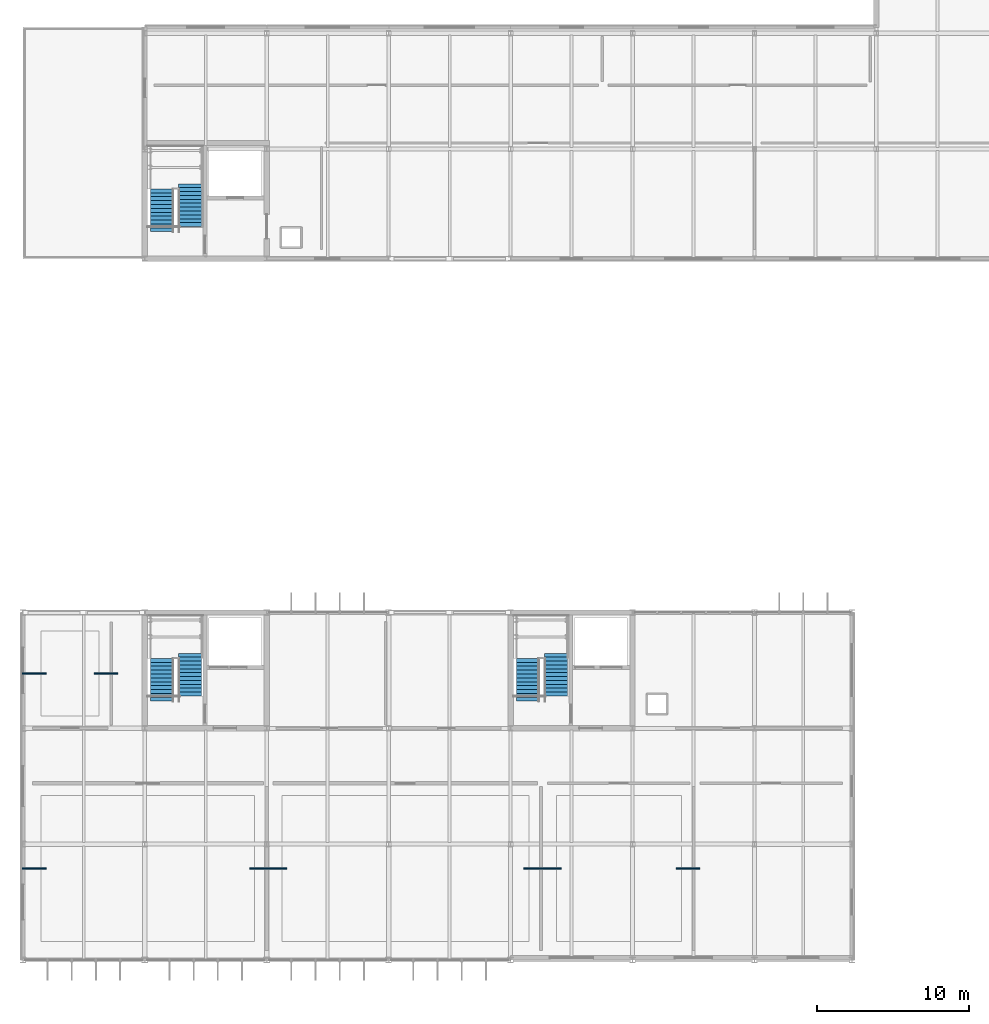
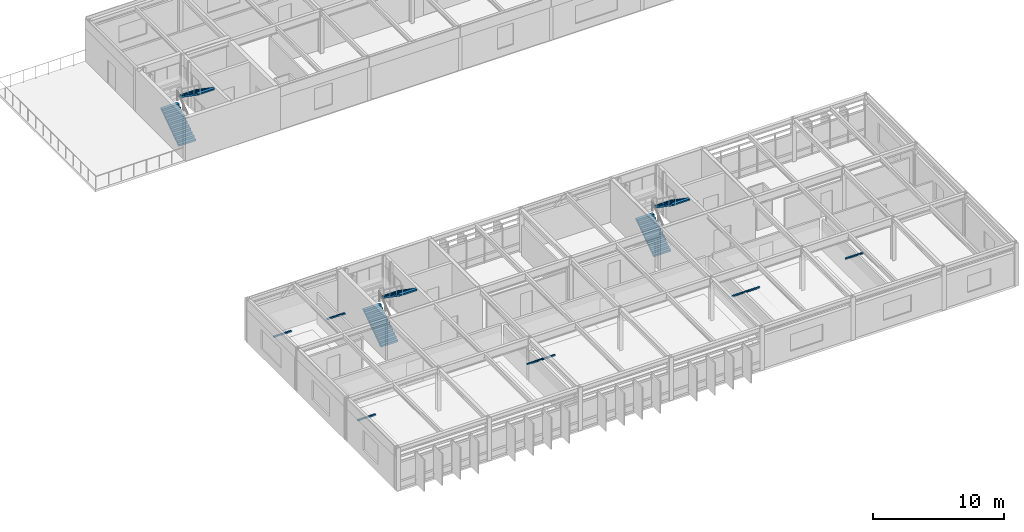
# One storey, part 27 of 33: 8 discrete accessories, 6 stair flights, 3 elements without a shape of their own.
"""IFC4 building model written with IfcOpenShell, lengths in metres."""

from ifc_helpers import new_model, si_unit, direction, frame, origin, origin_2d, place, context, subcontext, project, spatial, polyline, rectangle, outline, extrude, material, layer, layer_set, type_object, element, aggregate, save


model = new_model("IFC4")

# Units and contexts
model_context = context("Model", 3, precision=1e-05, world=origin(), true_north=direction((0.0, 1.0)))
body_context = subcontext(model_context, "Body", "Model", "MODEL_VIEW")
ifc_project = project(units=[si_unit("LENGTHUNIT", "METRE"), si_unit("AREAUNIT", "SQUARE_METRE"), si_unit("VOLUMEUNIT", "CUBIC_METRE"), si_unit("PLANEANGLEUNIT", "RADIAN"), si_unit("MASSUNIT", "GRAM", prefix="KILO")], contexts=[model_context])

# Site, building, storey
site_placement = place(None, origin())
site = spatial("IfcSite", under=ifc_project, at=site_placement, CompositionType="ELEMENT")
building_placement = place(site_placement, origin())
building = spatial("IfcBuilding", under=site, at=building_placement, Name="Zulena Civic Courthouse", CompositionType="ELEMENT")
storey_placement = place(building_placement, frame((0.0, 0.0, 33.60009765625)))
storey = spatial("IfcBuildingStorey", under=building, at=storey_placement, Name="L07", CompositionType="ELEMENT", Elevation=33.60009765625)

# Stair, stair flights
ifc_material_1 = material(Name="Precast concrete C40/50", Category="concrete")
stair_type = type_object("IfcStairType", Name="HalfTurnStair_4200", PredefinedType="HALF_TURN_STAIR", material=ifc_material_1)
stair_1_placement = place(storey_placement, origin())
stair_1 = element("IfcStair", 1, at=stair_1_placement, inside=storey, type_object=stair_type, Name="stair:K2A:L07", PredefinedType="HALF_TURN_STAIR")
stair_flight_type = type_object("IfcStairFlightType", Name="StairFlight_4200", PredefinedType="STRAIGHT", material=ifc_material_1)
stair_flight_1_placement = place(storey_placement, frame((21.1298828125, 16.97998046875, 0.0), z_axis=(0.0, 0.0, 1.0), x_axis=(0.0, 1.0, 0.0)))
stair_flight_1 = element("IfcStairFlight", 2, at=stair_flight_1_placement, type_object=stair_flight_type, Name="stair:K2A:L07:F1", NumberOfRisers=12, NumberOfTreads=11, PredefinedType="STRAIGHT", RiserHeight=0.175, TreadLength=0.255, context=body_context, shape_type="SweptSolid", body=[
    extrude(outline(polyline([(0.0, 0.0), (0.0, 0.175048828125), (0.2548828125, 0.175048828125), (0.2548828125, 0.35009765625), (0.510009765625, 0.35009765625), (0.510009765625, 0.52490234375), (0.764892578125, 0.52490234375), (0.764892578125, 0.699951171875), (1.02001953125, 0.699951171875), (1.02001953125, 0.875), (1.27490234375, 0.875), (1.27490234375, 1.050048828125), (1.530029296875, 1.050048828125), (1.530029296875, 1.22509765625), (1.784912109375, 1.22509765625), (1.784912109375, 1.39990234375), (2.0400390625, 1.39990234375), (2.0400390625, 1.574951171875), (2.294921875, 1.574951171875), (2.294921875, 1.75), (2.550048828125, 1.75), (2.550048828125, 1.925048828125), (2.804931640625, 1.925048828125), (2.804931640625, 2.10009765625), (2.804931640625, 1.797607421875), (0.185546875, 0.0), (0.0, 0.0)])), frame((0.0, 0.75, 0.0), z_axis=(0.0, -1.0, 0.0), x_axis=(1.0, 0.0, 0.0)), (0.0, 0.0, 1.0), 1.5),
])
stair_flight_2_placement = place(storey_placement, frame((22.969970703125, 20.124755859375, 2.099853515625), z_axis=(0.0, 0.0, 1.0), x_axis=(0.0, -1.0, 0.0)))
stair_flight_2 = element("IfcStairFlight", 3, at=stair_flight_2_placement, type_object=stair_flight_type, Name="stair:K2A:L07:F2", NumberOfRisers=12, NumberOfTreads=11, PredefinedType="STRAIGHT", RiserHeight=0.175, TreadLength=0.255, context=body_context, shape_type="SweptSolid", body=[
    extrude(outline(polyline([(0.0, 0.0), (0.0, 0.175048828125), (0.2548828125, 0.175048828125), (0.2548828125, 0.35009765625), (0.510009765625, 0.35009765625), (0.510009765625, 0.52490234375), (0.764892578125, 0.52490234375), (0.764892578125, 0.699951171875), (1.02001953125, 0.699951171875), (1.02001953125, 0.875), (1.27490234375, 0.875), (1.27490234375, 1.050048828125), (1.530029296875, 1.050048828125), (1.530029296875, 1.22509765625), (1.784912109375, 1.22509765625), (1.784912109375, 1.39990234375), (2.0400390625, 1.39990234375), (2.0400390625, 1.574951171875), (2.294921875, 1.574951171875), (2.294921875, 1.75), (2.550048828125, 1.75), (2.550048828125, 1.925048828125), (2.804931640625, 1.925048828125), (2.804931640625, 2.10009765625), (2.804931640625, 1.797607421875), (0.185546875, 0.0), (0.0, 0.0)])), frame((0.0, 0.75, 0.0), z_axis=(0.0, -1.0, 0.0), x_axis=(1.0, 0.0, 0.0)), (0.0, 0.0, 1.0), 1.5),
])
aggregate(stair_1, [stair_flight_1, stair_flight_2])

stair_2_placement = place(storey_placement, origin())
stair_2 = element("IfcStair", 4, at=stair_2_placement, inside=storey, type_object=stair_type, Name="stair:K2B:L07", PredefinedType="HALF_TURN_STAIR")
stair_flight_3_placement = place(storey_placement, frame((45.1298828125, 16.97998046875, 0.0), z_axis=(0.0, 0.0, 1.0), x_axis=(0.0, 1.0, 0.0)))
stair_flight_3 = element("IfcStairFlight", 5, at=stair_flight_3_placement, type_object=stair_flight_type, Name="stair:K2B:L07:F1", NumberOfRisers=12, NumberOfTreads=11, PredefinedType="STRAIGHT", RiserHeight=0.175, TreadLength=0.255, context=body_context, shape_type="SweptSolid", body=[
    extrude(outline(polyline([(0.0, 0.0), (0.0, 0.175048828125), (0.2548828125, 0.175048828125), (0.2548828125, 0.35009765625), (0.510009765625, 0.35009765625), (0.510009765625, 0.52490234375), (0.764892578125, 0.52490234375), (0.764892578125, 0.699951171875), (1.02001953125, 0.699951171875), (1.02001953125, 0.875), (1.27490234375, 0.875), (1.27490234375, 1.050048828125), (1.530029296875, 1.050048828125), (1.530029296875, 1.22509765625), (1.784912109375, 1.22509765625), (1.784912109375, 1.39990234375), (2.0400390625, 1.39990234375), (2.0400390625, 1.574951171875), (2.294921875, 1.574951171875), (2.294921875, 1.75), (2.550048828125, 1.75), (2.550048828125, 1.925048828125), (2.804931640625, 1.925048828125), (2.804931640625, 2.10009765625), (2.804931640625, 1.797607421875), (0.185546875, 0.0), (0.0, 0.0)])), frame((0.0, 0.75, 0.0), z_axis=(0.0, -1.0, 0.0), x_axis=(1.0, 0.0, 0.0)), (0.0, 0.0, 1.0), 1.5),
])
stair_flight_4_placement = place(storey_placement, frame((46.969970703125, 20.124755859375, 2.099853515625), z_axis=(0.0, 0.0, 1.0), x_axis=(0.0, -1.0, 0.0)))
stair_flight_4 = element("IfcStairFlight", 6, at=stair_flight_4_placement, type_object=stair_flight_type, Name="stair:K2B:L07:F2", NumberOfRisers=12, NumberOfTreads=11, PredefinedType="STRAIGHT", RiserHeight=0.175, TreadLength=0.255, context=body_context, shape_type="SweptSolid", body=[
    extrude(outline(polyline([(0.0, 0.0), (0.0, 0.175048828125), (0.2548828125, 0.175048828125), (0.2548828125, 0.35009765625), (0.510009765625, 0.35009765625), (0.510009765625, 0.52490234375), (0.764892578125, 0.52490234375), (0.764892578125, 0.699951171875), (1.02001953125, 0.699951171875), (1.02001953125, 0.875), (1.27490234375, 0.875), (1.27490234375, 1.050048828125), (1.530029296875, 1.050048828125), (1.530029296875, 1.22509765625), (1.784912109375, 1.22509765625), (1.784912109375, 1.39990234375), (2.0400390625, 1.39990234375), (2.0400390625, 1.574951171875), (2.294921875, 1.574951171875), (2.294921875, 1.75), (2.550048828125, 1.75), (2.550048828125, 1.925048828125), (2.804931640625, 1.925048828125), (2.804931640625, 2.10009765625), (2.804931640625, 1.797607421875), (0.185546875, 0.0), (0.0, 0.0)])), frame((0.0, 0.75, 0.0), z_axis=(0.0, -1.0, 0.0), x_axis=(1.0, 0.0, 0.0)), (0.0, 0.0, 1.0), 1.5),
])
aggregate(stair_2, [stair_flight_3, stair_flight_4])

stair_3_placement = place(storey_placement, origin())
stair_3 = element("IfcStair", 7, at=stair_3_placement, inside=storey, type_object=stair_type, Name="stair:K5A:L07", PredefinedType="HALF_TURN_STAIR")
stair_flight_5_placement = place(storey_placement, frame((21.1298828125, 47.780029296875, 0.0), z_axis=(0.0, 0.0, 1.0), x_axis=(0.0, 1.0, 0.0)))
stair_flight_5 = element("IfcStairFlight", 8, at=stair_flight_5_placement, type_object=stair_flight_type, Name="stair:K5A:L07:F1", NumberOfRisers=12, NumberOfTreads=11, PredefinedType="STRAIGHT", RiserHeight=0.175, TreadLength=0.255, context=body_context, shape_type="SweptSolid", body=[
    extrude(outline(polyline([(0.0, 0.0), (0.0, 0.175048828125), (0.2548828125, 0.175048828125), (0.2548828125, 0.35009765625), (0.510009765625, 0.35009765625), (0.510009765625, 0.52490234375), (0.764892578125, 0.52490234375), (0.764892578125, 0.699951171875), (1.02001953125, 0.699951171875), (1.02001953125, 0.875), (1.27490234375, 0.875), (1.27490234375, 1.050048828125), (1.530029296875, 1.050048828125), (1.530029296875, 1.22509765625), (1.784912109375, 1.22509765625), (1.784912109375, 1.39990234375), (2.0400390625, 1.39990234375), (2.0400390625, 1.574951171875), (2.294921875, 1.574951171875), (2.294921875, 1.75), (2.550048828125, 1.75), (2.550048828125, 1.925048828125), (2.804931640625, 1.925048828125), (2.804931640625, 2.10009765625), (2.804931640625, 1.797607421875), (0.185546875, 0.0), (0.0, 0.0)])), frame((0.0, 0.75, 0.0), z_axis=(0.0, -1.0, 0.0), x_axis=(1.0, 0.0, 0.0)), (0.0, 0.0, 1.0), 1.5),
])
stair_flight_6_placement = place(storey_placement, frame((22.969970703125, 50.9248046875, 2.099853515625), z_axis=(0.0, 0.0, 1.0), x_axis=(0.0, -1.0, 0.0)))
stair_flight_6 = element("IfcStairFlight", 9, at=stair_flight_6_placement, type_object=stair_flight_type, Name="stair:K5A:L07:F2", NumberOfRisers=12, NumberOfTreads=11, PredefinedType="STRAIGHT", RiserHeight=0.175, TreadLength=0.255, context=body_context, shape_type="SweptSolid", body=[
    extrude(outline(polyline([(0.0, 0.0), (0.0, 0.175048828125), (0.2548828125, 0.175048828125), (0.2548828125, 0.35009765625), (0.510009765625, 0.35009765625), (0.510009765625, 0.52490234375), (0.764892578125, 0.52490234375), (0.764892578125, 0.699951171875), (1.02001953125, 0.699951171875), (1.02001953125, 0.875), (1.27490234375, 0.875), (1.27490234375, 1.050048828125), (1.530029296875, 1.050048828125), (1.530029296875, 1.22509765625), (1.784912109375, 1.22509765625), (1.784912109375, 1.39990234375), (2.0400390625, 1.39990234375), (2.0400390625, 1.574951171875), (2.294921875, 1.574951171875), (2.294921875, 1.75), (2.550048828125, 1.75), (2.550048828125, 1.925048828125), (2.804931640625, 1.925048828125), (2.804931640625, 2.10009765625), (2.804931640625, 1.797607421875), (0.185546875, 0.0), (0.0, 0.0)])), frame((0.0, 0.75, 0.0), z_axis=(0.0, -1.0, 0.0), x_axis=(1.0, 0.0, 0.0)), (0.0, 0.0, 1.0), 1.5),
])
aggregate(stair_3, [stair_flight_5, stair_flight_6])

# Discrete accessories
ifc_material_2 = material(Name="Gold anodised architectural aluminium AA6063-T6", Category="aluminium")
ifc_layer = layer(ifc_material_2, 0.1201171875)
ifc_layer_set = layer_set([ifc_layer], Name="Gold anodised architectural aluminium AA6063-T6")
discrete_accessory_type = type_object("IfcDiscreteAccessoryType", Name="FinOutriggerBracket", PredefinedType="BRACKET", material=ifc_layer_set)
for number, where, z_axis, x_axis, name in (
    (10, (12.75, 6.0, 2.789794921875), (0.0, 0.0, 1.0), (1.0, 0.0, 0.0), "hng:ceil:L07:349:0"),
    (11, (27.64990234375, 6.0, 2.789794921875), (0.0, 0.0, 1.0), (1.0, 0.0, 0.0), "hng:ceil:L07:349:1"),
    (12, (28.550048828125, 6.0, 2.789794921875), (0.0, 0.0, 1.0), (1.0, 0.0, 0.0), "hng:ceil:L07:350:0"),
    (13, (45.64990234375, 6.0, 2.789794921875), (0.0, 0.0, 1.0), (1.0, 0.0, 0.0), "hng:ceil:L07:350:1"),
    (14, (46.550048828125, 6.0, 2.789794921875), (0.0, 0.0, 1.0), (1.0, 0.0, 0.0), "hng:ceil:L07:351:0"),
    (15, (55.64990234375, 6.0, 2.789794921875), (0.0, 0.0, 1.0), (1.0, 0.0, 0.0), "hng:ceil:L07:351:1"),
    (16, (12.75, 18.800048828125, 2.789794921875), (0.0, 0.0, 1.0), (1.0, 0.0, 0.0), "hng:ceil:L07:353:0"),
    (17, (17.449951171875, 18.800048828125, 2.789794921875), (0.0, 0.0, 1.0), (1.0, 0.0, 0.0), "hng:ceil:L07:353:1"),
):
    element("IfcDiscreteAccessory", number, at=place(storey_placement, frame(where, z_axis=z_axis, x_axis=x_axis)), inside=storey, type_object=discrete_accessory_type, Name=name, PredefinedType="BRACKET", context=body_context, shape_type="SweptSolid", body=[
        extrude(rectangle(XDim=1.550048828125, YDim=0.1201171875, at=origin_2d()), origin(), (0.0, 0.0, 1.0), 0.080078125),
    ])

save(model, "model.ifc")
